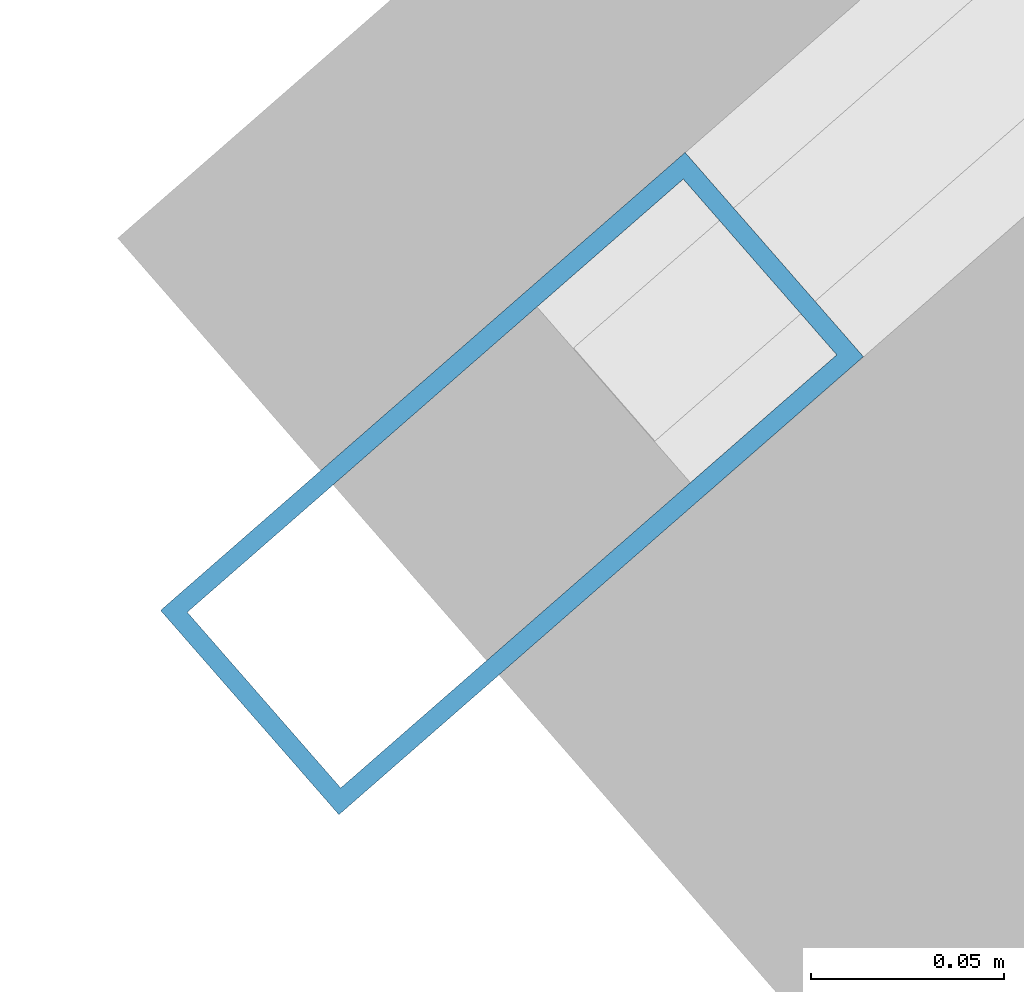
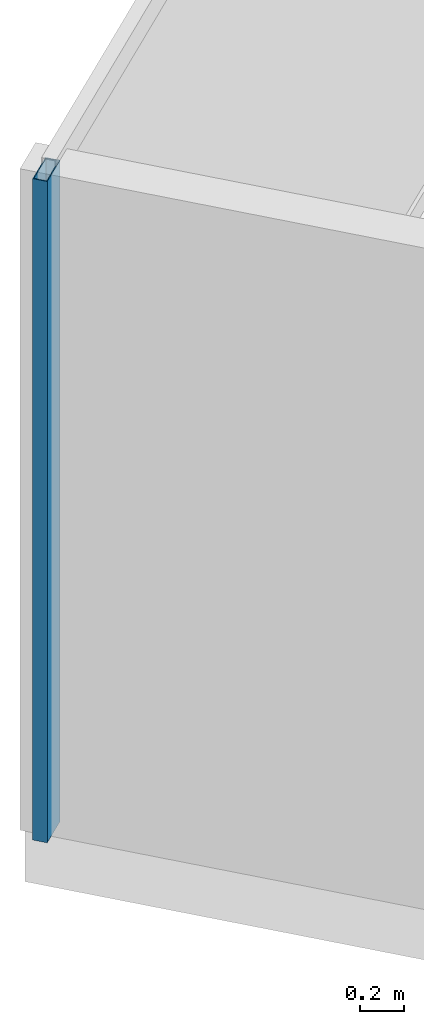
# One storey, part 7 of 24: 1 member, 1 element without a shape of its own.
"""IFC4 building model written with IfcOpenShell, lengths in metres."""

from ifc_helpers import new_model, si_unit, direction, frame, origin, origin_2d, place, context, subcontext, project, spatial, hollow_rectangle, extrude, source, transform, mapped, material, material_profile, profile_set, type_object, type_shapes, element, aggregate, save


model = new_model("IFC4")

# Units and contexts
model_context = context("Model", 3, precision=1e-05, world=origin(), true_north=direction((0.0, 1.0)))
body_context = subcontext(model_context, "Body", "Model", "MODEL_VIEW")
ifc_project = project(units=[si_unit("LENGTHUNIT", "METRE"), si_unit("AREAUNIT", "SQUARE_METRE"), si_unit("VOLUMEUNIT", "CUBIC_METRE"), si_unit("PLANEANGLEUNIT", "RADIAN"), si_unit("MASSUNIT", "GRAM", prefix="KILO")], contexts=[model_context])

# Site, building, storey
site_placement = place(None, origin())
site = spatial("IfcSite", under=ifc_project, at=site_placement, CompositionType="ELEMENT")
building_placement = place(site_placement, origin())
building = spatial("IfcBuilding", under=site, at=building_placement, Name="Krantzveldt Concourse Tower", CompositionType="ELEMENT")
storey_placement = place(building_placement, frame((0.0, 0.0, 254.699951171875)))
storey = spatial("IfcBuildingStorey", under=building, at=storey_placement, Name="L62", CompositionType="ELEMENT", Elevation=254.699951171875)

# Curtain wall, member
ifc_material = material(Name="Anodised aluminium 6063-T6", Category="aluminium")
curtain_wall_type = type_object("IfcCurtainWallType", Name="CW3", PredefinedType="USERDEFINED", material=ifc_material)
curtain_wall_placement = place(storey_placement, origin())
curtain_wall = element("IfcCurtainWall", 1, at=curtain_wall_placement, inside=storey, type_object=curtain_wall_type, Name="CW-L62-F01", ObjectType="UNITISED CURTAIN WALL", PredefinedType="USERDEFINED")
ifc_material_profile = material_profile(ifc_material, hollow_rectangle(XDim=0.070068359375, YDim=0.179931640625, WallThickness=0.0048828125, at=origin_2d()), Name="Anodised aluminium 6063-T6", Category="aluminium")
ifc_profile_set = profile_set([ifc_material_profile], Name="Anodised aluminium 6063-T6 - ALU-MULL 180x70x5")
member_type = type_object("IfcMemberType", Name="CW-MUL-180", PredefinedType="MULLION", material=ifc_profile_set)
shared_shape = source(origin(), body_context, "Body", "SweptSolid", [
    extrude(hollow_rectangle(XDim=0.070068359375, YDim=0.179931640625, WallThickness=0.0048828125, at=origin_2d()), origin(), (0.0, 0.0, 1.0), 3.670166015625),
])
type_shapes(member_type, [shared_shape])
member_placement = place(storey_placement, frame((10.9267578125, 31.903076171875, 0.0), z_axis=(0.0, 0.0, 1.0), x_axis=(0.657703938567, -0.753276529034, 0.0)))
member = element("IfcMember", 2, at=member_placement, type_object=member_type, Name="CW-Z34 mullion 6", PredefinedType="MULLION", context=body_context, shape_type="MappedRepresentation", body=[
    mapped(shared_shape, transform((0.0, 0.0, 0.0), x_axis=(1.0, 0.0, 0.0), y_axis=(0.0, 1.0, 0.0), z_axis=(0.0, 0.0, 1.0), scale=1.0)),
])
aggregate(curtain_wall, [member])

save(model, "model.ifc")
